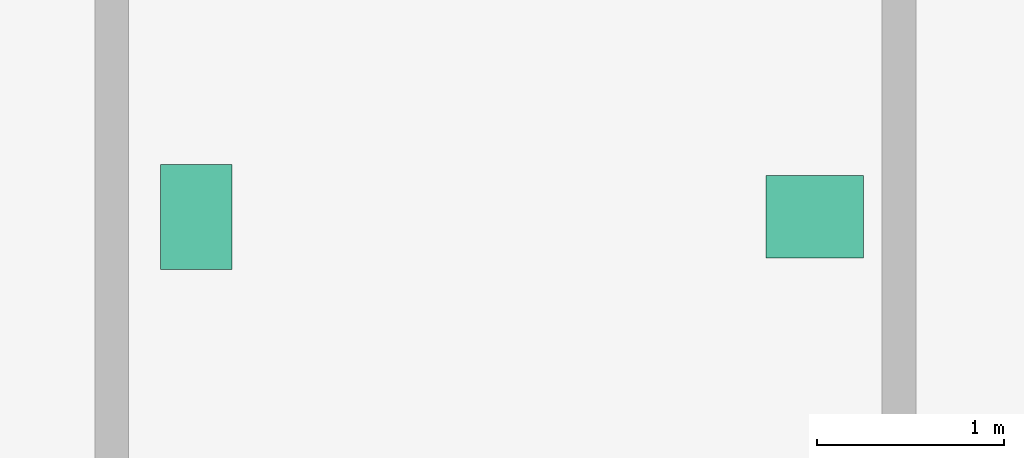
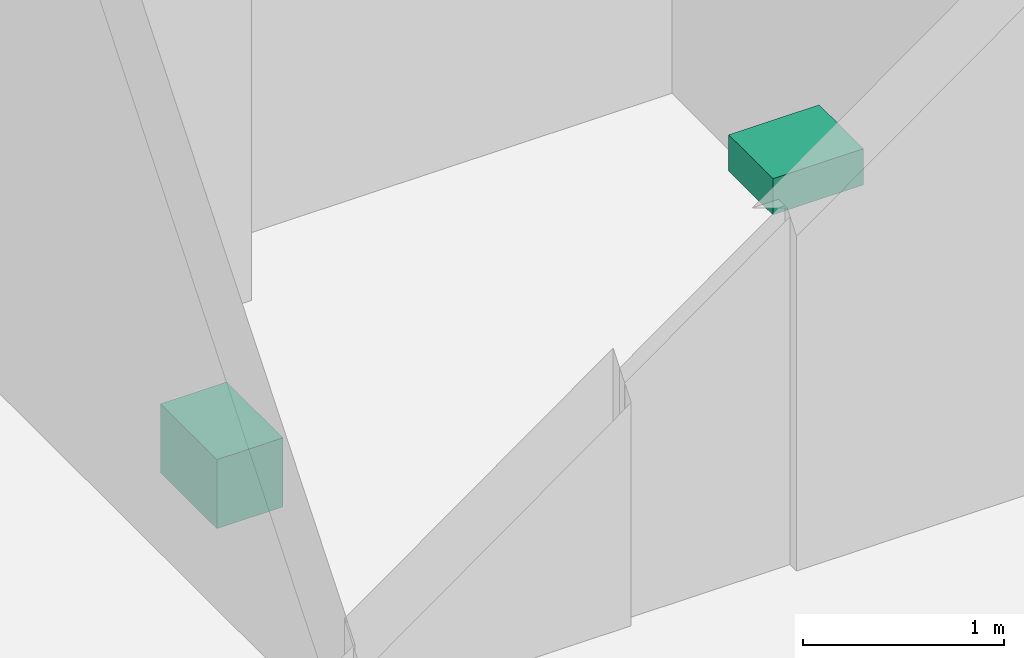
# One storey, part 9 of 9: 2 sanitary terminals.
"""IFC4 building model written with IfcOpenShell, lengths in metres."""

from ifc_helpers import new_model, si_unit, direction, frame, origin, origin_2d, place, context, subcontext, project, spatial, rectangle, extrude, material, type_object, element, save


model = new_model("IFC4")

# Units and contexts
model_context = context("Model", 3, precision=1e-05, world=origin(), true_north=direction((0.0, 1.0)))
body_context = subcontext(model_context, "Body", "Model", "MODEL_VIEW")
ifc_project = project(units=[si_unit("LENGTHUNIT", "METRE"), si_unit("AREAUNIT", "SQUARE_METRE"), si_unit("VOLUMEUNIT", "CUBIC_METRE"), si_unit("PLANEANGLEUNIT", "RADIAN"), si_unit("MASSUNIT", "GRAM", prefix="KILO")], contexts=[model_context])

# Site, building, storey
site_placement = place(None, origin())
site = spatial("IfcSite", under=ifc_project, at=site_placement, CompositionType="ELEMENT")
building_placement = place(site_placement, origin())
building = spatial("IfcBuilding", under=site, at=building_placement, Name="Barlavira Tower and Art Museum", CompositionType="ELEMENT")
storey_placement = place(building_placement, frame((0.0, 0.0, 93.60009765625)))
storey = spatial("IfcBuildingStorey", under=building, at=storey_placement, Name="L23", CompositionType="ELEMENT", Elevation=93.60009765625)

# Sanitary terminals
ifc_material = material(Name="Vitreous glazed ceramic", Category="ceramic")
sanitary_terminal_type_1 = type_object("IfcSanitaryTerminalType", Name="Countertop Ceramic Wash Hand Basin", PredefinedType="WASHHANDBASIN", material=ifc_material)
sanitary_terminal_1_placement = place(storey_placement, frame((-8.75, 11.25, 0.73974609375), z_axis=(0.0, 0.0, 1.0), x_axis=(1.0, 0.0, 0.0)))
element("IfcSanitaryTerminal", 1, at=sanitary_terminal_1_placement, inside=storey, type_object=sanitary_terminal_type_1, Name="L23-PLT-WC Wash Basin", PredefinedType="WASHHANDBASIN", context=body_context, shape_type="SweptSolid", body=[
    extrude(rectangle(XDim=0.52001953125, YDim=0.43994140625, at=origin_2d()), origin(), (0.0, 0.0, 1.0), 0.219970703125),
])
sanitary_terminal_type_2 = type_object("IfcSanitaryTerminalType", Name="Wall-Hung Dual-Flush Vitreous WC Pan", PredefinedType="TOILETPAN", material=ifc_material)
sanitary_terminal_2_placement = place(storey_placement, frame((-12.050048828125, 11.25, 0.0), z_axis=(0.0, 0.0, 1.0), x_axis=(1.0, 0.0, 0.0)))
element("IfcSanitaryTerminal", 2, at=sanitary_terminal_2_placement, inside=storey, type_object=sanitary_terminal_type_2, Name="L23-PLT-WC WC Pan", PredefinedType="TOILETPAN", context=body_context, shape_type="SweptSolid", body=[
    extrude(rectangle(XDim=0.3798828125, YDim=0.56005859375, at=origin_2d()), origin(), (0.0, 0.0, 1.0), 0.419921875),
])

save(model, "model.ifc")
